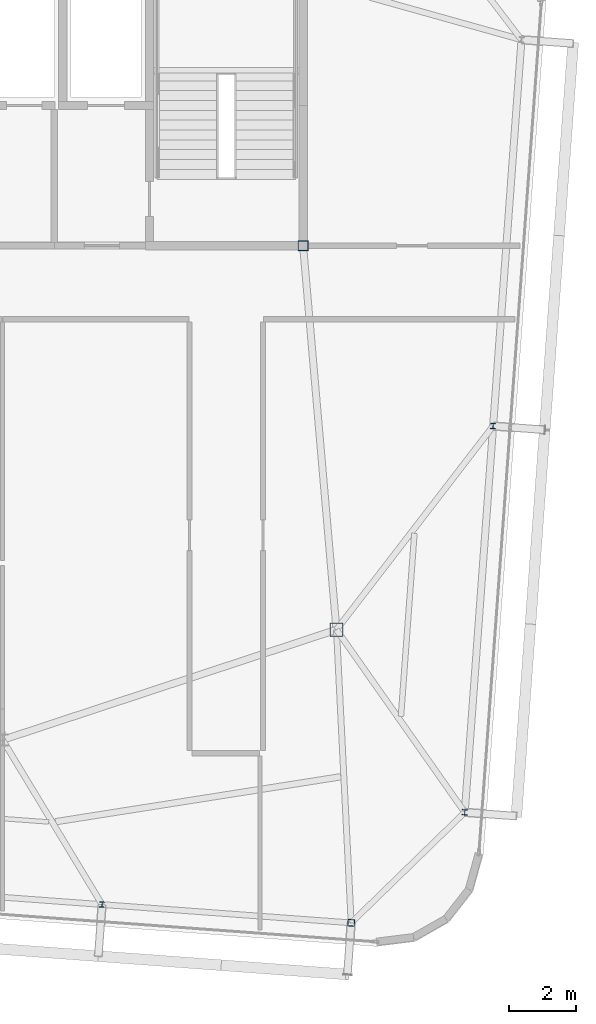
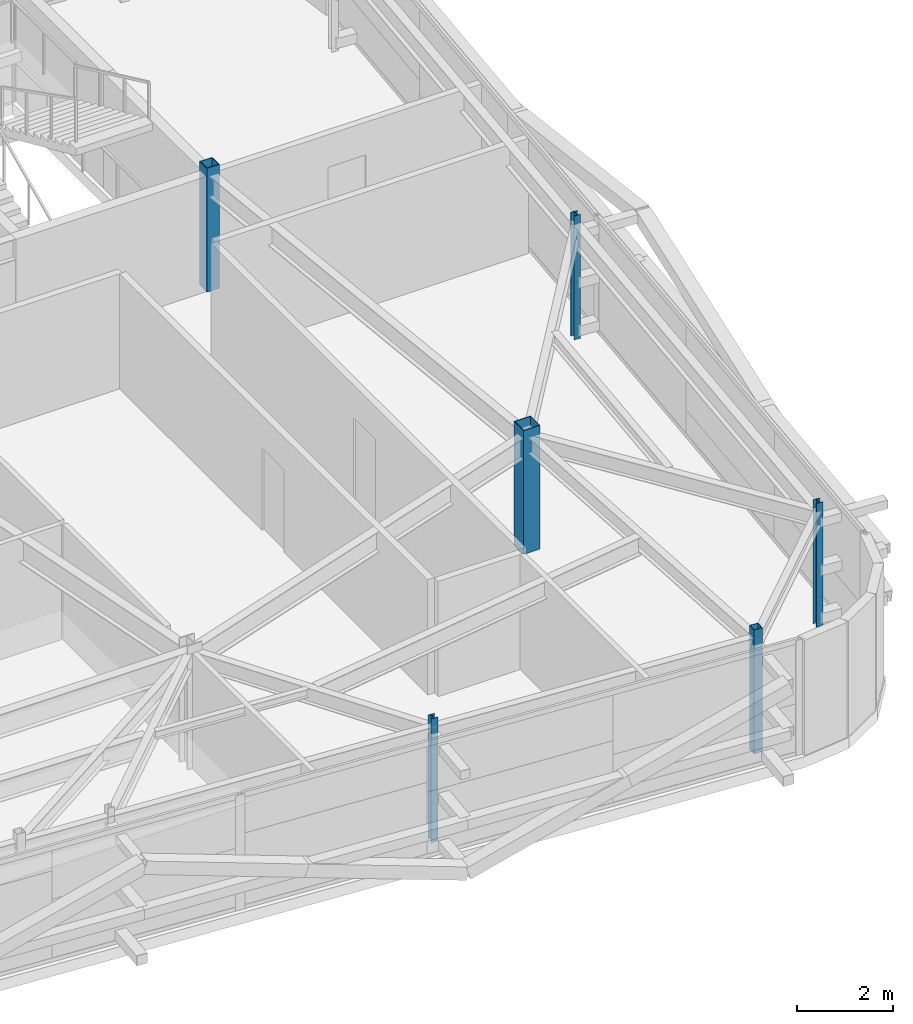
# One storey, part 5 of 35: 6 columns.
"""IFC4 building model written with IfcOpenShell, lengths in metres."""

from ifc_helpers import new_model, si_unit, direction, frame, origin, origin_2d, place, context, subcontext, project, spatial, hollow_rectangle, i_section, extrude, source, transform, mapped, material, material_profile, profile_set, type_object, element, save


model = new_model("IFC4")

# Units and contexts
model_context = context("Model", 3, precision=1e-05, world=origin(), true_north=direction((0.0, 1.0)))
body_context = subcontext(model_context, "Body", "Model", "MODEL_VIEW")
ifc_project = project(units=[si_unit("LENGTHUNIT", "METRE"), si_unit("AREAUNIT", "SQUARE_METRE"), si_unit("VOLUMEUNIT", "CUBIC_METRE"), si_unit("PLANEANGLEUNIT", "RADIAN"), si_unit("MASSUNIT", "GRAM", prefix="KILO")], contexts=[model_context])

# Site, building, storey
site_placement = place(None, origin())
site = spatial("IfcSite", under=ifc_project, at=site_placement, CompositionType="ELEMENT")
building_placement = place(site_placement, origin())
building = spatial("IfcBuilding", under=site, at=building_placement, Name="Taldren Reach Tower", CompositionType="ELEMENT")
storey_placement = place(building_placement, frame((0.0, 0.0, 236.60009765625)))
storey = spatial("IfcBuildingStorey", under=building, at=storey_placement, Name="L72", CompositionType="ELEMENT", Elevation=236.60009765625)

# Columns
ifc_material_1 = material(Name="Steel Gr 450 (C450L0)", Category="steel")
ifc_material_profile_1 = material_profile(ifc_material_1, hollow_rectangle(XDim=0.39990234375, YDim=0.39990234375, WallThickness=0.01611328125, at=origin_2d()), Name="400x400x16.0SHS")
ifc_profile_set_1 = profile_set([ifc_material_profile_1], Name="Steel Gr 450 (C450L0)")
column_type_1 = type_object("IfcColumnType", Name="COL-SHS400", PredefinedType="COLUMN", material=ifc_profile_set_1)
shared_shape_1 = source(origin(), body_context, "Body", "SweptSolid", [
    extrude(hollow_rectangle(XDim=0.39990234375, YDim=0.39990234375, WallThickness=0.01611328125, at=origin_2d()), origin(), (0.0, 0.0, 1.0), 3.14990234375),
])
column_1_placement = place(storey_placement, frame((52.0, 12.5, 0.0), z_axis=(0.0, 0.0, 1.0), x_axis=(1.0, 0.0, 0.0)))
element("IfcColumn", 1, at=column_1_placement, inside=storey, type_object=column_type_1, Name="Mega column MC-SE L72", PredefinedType="COLUMN", context=body_context, shape_type="MappedRepresentation", body=[
    mapped(shared_shape_1, transform((0.0, 0.0, 0.0), scale=1.0)),
])
ifc_material_profile_2 = material_profile(ifc_material_1, hollow_rectangle(XDim=0.300048828125, YDim=0.300048828125, WallThickness=0.012451171875, at=origin_2d()), Name="300x300x12.5SHS")
ifc_profile_set_2 = profile_set([ifc_material_profile_2], Name="Steel Gr 450 (C450L0)")
column_type_2 = type_object("IfcColumnType", Name="COL-SHS300", PredefinedType="COLUMN", material=ifc_profile_set_2)
shared_shape_2 = source(origin(), body_context, "Body", "SweptSolid", [
    extrude(hollow_rectangle(XDim=0.300048828125, YDim=0.300048828125, WallThickness=0.012451171875, at=origin_2d()), origin(), (0.0, 0.0, 1.0), 3.14990234375),
])
column_2_placement = place(storey_placement, frame((51.0, 24.0, 0.0), z_axis=(0.0, 0.0, 1.0), x_axis=(1.0, 0.0, 0.0)))
element("IfcColumn", 2, at=column_2_placement, inside=storey, type_object=column_type_2, Name="Mega column MC-C4 L72", PredefinedType="COLUMN", context=body_context, shape_type="MappedRepresentation", body=[
    mapped(shared_shape_2, transform((0.0, 0.0, 0.0), scale=1.0)),
])
ifc_material_2 = material(Name="Steel Gr 350 (C350L0)", Category="steel")
ifc_material_profile_3 = material_profile(ifc_material_2, hollow_rectangle(XDim=0.199951171875, YDim=0.199951171875, WallThickness=0.009033203125, at=origin_2d()), Name="200x200x9.0SHS")
ifc_profile_set_3 = profile_set([ifc_material_profile_3], Name="Steel Gr 350 (C350L0)")
column_type_3 = type_object("IfcColumnType", Name="COL-SHS200", PredefinedType="COLUMN", material=ifc_profile_set_3)
shared_shape_3 = source(origin(), body_context, "Body", "SweptSolid", [
    extrude(hollow_rectangle(XDim=0.199951171875, YDim=0.199951171875, WallThickness=0.009033203125, at=origin_2d()), origin(), (0.0, 0.0, 1.0), 3.14990234375),
])
column_3_placement = place(storey_placement, frame((52.440185546875, 3.72119140625, 0.0), z_axis=(0.0, 0.0, 1.0), x_axis=(0.997314477224, -0.073238197128, 0.0)))
element("IfcColumn", 3, at=column_3_placement, inside=storey, type_object=column_type_3, Name="Block B5 perimeter column S6 L72", PredefinedType="COLUMN", context=body_context, shape_type="MappedRepresentation", body=[
    mapped(shared_shape_3, transform((0.0, 0.0, 0.0), scale=1.0)),
])
ifc_material_3 = material(Name="Steel Gr 350 (350PLUS)", Category="steel")
ifc_material_profile_4 = material_profile(ifc_material_3, i_section(OverallWidth=0.154052734375, OverallDepth=0.162109375, WebThickness=0.008056640625, FlangeThickness=0.011474609375, at=origin_2d()), Name="150UC37.2")
ifc_profile_set_4 = profile_set([ifc_material_profile_4], Name="Steel Gr 350 (350PLUS)")
column_type_4 = type_object("IfcColumnType", Name="COL-UC150", PredefinedType="COLUMN", material=ifc_profile_set_4)
shared_shape_4 = source(origin(), body_context, "Body", "SweptSolid", [
    extrude(i_section(OverallWidth=0.154052734375, OverallDepth=0.162109375, WebThickness=0.008056640625, FlangeThickness=0.011474609375, at=origin_2d()), origin(), (0.0, 0.0, 1.0), 3.14990234375),
])
for number, where, z_axis, x_axis, name in (
    (4, (44.980224609375, 4.26904296875, 0.0), (0.0, 0.0, 1.0), (0.997314477224, -0.073238197128, 0.0), "Block B5 perimeter column S5 L72"),
    (5, (55.841796875, 7.031005859375, 0.0), (0.0, 0.0, 1.0), (0.997314477224, -0.073238197128, 0.0), "Block B5 perimeter column E1 L72"),
    (6, (56.69140625, 18.599853515625, 0.0), (0.0, 0.0, 1.0), (0.997314477224, -0.073238197128, 0.0), "Block B5 perimeter column E2 L72"),
):
    element("IfcColumn", number, at=place(storey_placement, frame(where, z_axis=z_axis, x_axis=x_axis)), inside=storey, type_object=column_type_4, Name=name, PredefinedType="COLUMN", context=body_context, shape_type="MappedRepresentation", body=[
        mapped(shared_shape_4, transform((0.0, 0.0, 0.0), scale=1.0)),
    ])

save(model, "model.ifc")
